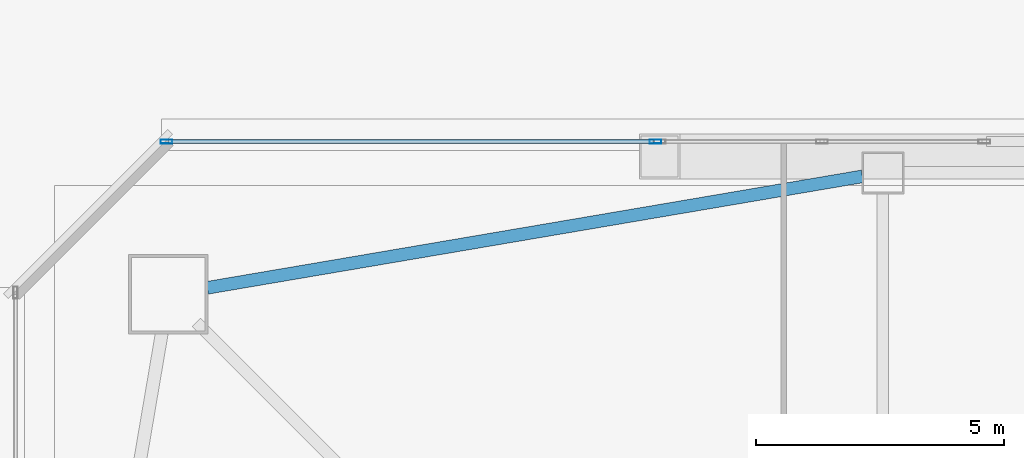
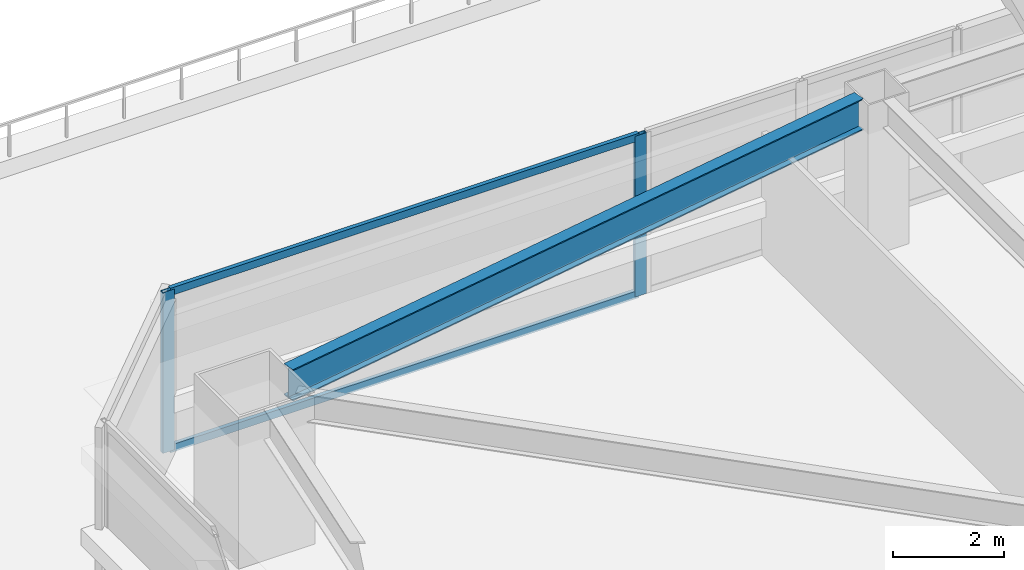
# One storey, part 16 of 83: 4 members, 1 beam, 1 element without a shape of its own.
"""IFC4 building model written with IfcOpenShell, lengths in metres."""

from ifc_helpers import new_model, si_unit, direction, frame, origin, origin_2d, place, context, subcontext, project, spatial, hollow_rectangle, i_section, extrude, material, material_profile, profile_set, type_object, element, aggregate, save


model = new_model("IFC4")

# Units and contexts
model_context = context("Model", 3, precision=1e-05, world=origin(), true_north=direction((0.0, 1.0)))
body_context = subcontext(model_context, "Body", "Model", "MODEL_VIEW")
ifc_project = project(units=[si_unit("LENGTHUNIT", "METRE"), si_unit("AREAUNIT", "SQUARE_METRE"), si_unit("VOLUMEUNIT", "CUBIC_METRE"), si_unit("PLANEANGLEUNIT", "RADIAN"), si_unit("MASSUNIT", "GRAM", prefix="KILO")], contexts=[model_context])

# Site, building, storey
site_placement = place(None, origin())
site = spatial("IfcSite", under=ifc_project, at=site_placement, CompositionType="ELEMENT")
building_placement = place(site_placement, origin())
building = spatial("IfcBuilding", under=site, at=building_placement, Name="Tashvorn Skyway Center", CompositionType="ELEMENT")
storey_placement = place(building_placement, frame((0.0, 0.0, 24.60009765625)))
storey = spatial("IfcBuildingStorey", under=building, at=storey_placement, Name="L05", CompositionType="ELEMENT", Elevation=24.60009765625)

# Beam
ifc_material_1 = material(Name="Steel ASTM A992 Grade 50", Category="steel")
ifc_material_profile_1 = material_profile(ifc_material_1, i_section(OverallWidth=0.256103515625, OverallDepth=0.693115234375, WebThickness=0.014404296875, FlangeThickness=0.023681640625, at=origin_2d()), Name="W27X114")
ifc_profile_set_1 = profile_set([ifc_material_profile_1], Name="Steel ASTM A992 Grade 50")
beam_type = type_object("IfcBeamType", Name="BM-SPANDREL-W27X114", PredefinedType="SPANDREL", material=ifc_profile_set_1)
beam_placement = place(storey_placement, frame((36.18603515625, 54.179443359375, 3.00341796875), z_axis=(-0.985835025551, -0.16771792509, 0.0), x_axis=(0.16771792509, -0.985835025551, 0.0)))
element("IfcBeam", 1, at=beam_placement, inside=storey, type_object=beam_type, Name="Tower 1 L05 Spandrel Beam 09", PredefinedType="SPANDREL", context=body_context, shape_type="SweptSolid", body=[
    extrude(i_section(OverallWidth=0.256103515625, OverallDepth=0.693115234375, WebThickness=0.014404296875, FlangeThickness=0.023681640625, at=origin_2d()), origin(), (0.0, 0.0, 1.0), 13.39208984375),
])

# Curtain wall, members
ifc_material_2 = material(Name="Thermally broken bronze-anodized aluminium 6063-T6", Category="aluminium")
curtain_wall_type = type_object("IfcCurtainWallType", Name="CW-CW-Z1", PredefinedType="NOTDEFINED", material=ifc_material_2)
curtain_wall_placement = place(storey_placement, origin())
curtain_wall = element("IfcCurtainWall", 2, at=curtain_wall_placement, inside=storey, type_object=curtain_wall_type, Name="Tower 1 L05 North Unitised Curtain Wall Glazing Group 1", PredefinedType="NOTDEFINED")
ifc_material_profile_2 = material_profile(ifc_material_2, hollow_rectangle(XDim=0.0849609375, YDim=0.239990234375, WallThickness=0.0048828125, at=origin_2d()), Name="ALU-MULL-85x240")
ifc_profile_set_2 = profile_set([ifc_material_profile_2], Name="Thermally broken bronze-anodized aluminium 6063-T6")
member_type_1 = type_object("IfcMemberType", Name="CWM-CW-Z1", PredefinedType="MULLION", material=ifc_profile_set_2)
member_1_placement = place(storey_placement, frame((22.16259765625, 54.8798828125, 0.0), z_axis=(0.0, 0.0, 1.0), x_axis=(0.0, 1.0, 0.0)))
member_1 = element("IfcMember", 3, at=member_1_placement, type_object=member_type_1, Name="CW-Z1 mullion 1", PredefinedType="MULLION", context=body_context, shape_type="SweptSolid", body=[
    extrude(hollow_rectangle(XDim=0.0849609375, YDim=0.239990234375, WallThickness=0.0048828125, at=origin_2d()), origin(), (0.0, 0.0, 1.0), 3.5498046875),
])
member_2_placement = place(storey_placement, frame((32.017578125, 54.8798828125, 0.0), z_axis=(0.0, 0.0, 1.0), x_axis=(0.0, 1.0, 0.0)))
member_2 = element("IfcMember", 4, at=member_2_placement, type_object=member_type_1, Name="CW-Z1 mullion 2", PredefinedType="MULLION", context=body_context, shape_type="SweptSolid", body=[
    extrude(hollow_rectangle(XDim=0.0849609375, YDim=0.239990234375, WallThickness=0.0048828125, at=origin_2d()), origin(), (0.0, 0.0, 1.0), 3.5498046875),
])
ifc_material_profile_3 = material_profile(ifc_material_2, hollow_rectangle(XDim=0.0849609375, YDim=0.1650390625, WallThickness=0.0048828125, at=origin_2d()), Name="ALU-TRAN-85x165")
ifc_profile_set_3 = profile_set([ifc_material_profile_3], Name="Thermally broken bronze-anodized aluminium 6063-T6")
member_type_2 = type_object("IfcMemberType", Name="CWT-CW-Z1", PredefinedType="USERDEFINED", material=ifc_profile_set_3)
member_3_placement = place(storey_placement, frame((22.205078125, 54.8798828125, 0.04248046875), z_axis=(1.0, 0.0, 0.0), x_axis=(0.0, 1.0, 0.0)))
member_3 = element("IfcMember", 5, at=member_3_placement, type_object=member_type_2, Name="CW-Z1 transom 1.1", ObjectType="TRANSOM", PredefinedType="USERDEFINED", context=body_context, shape_type="SweptSolid", body=[
    extrude(hollow_rectangle(XDim=0.0849609375, YDim=0.1650390625, WallThickness=0.0048828125, at=origin_2d()), origin(), (0.0, 0.0, 1.0), 9.77001953125),
])
member_4_placement = place(storey_placement, frame((22.205078125, 54.8798828125, 3.50732421875), z_axis=(1.0, 0.0, 0.0), x_axis=(0.0, 1.0, 0.0)))
member_4 = element("IfcMember", 6, at=member_4_placement, type_object=member_type_2, Name="CW-Z1 transom 1.2", ObjectType="TRANSOM", PredefinedType="USERDEFINED", context=body_context, shape_type="SweptSolid", body=[
    extrude(hollow_rectangle(XDim=0.0849609375, YDim=0.1650390625, WallThickness=0.0048828125, at=origin_2d()), origin(), (0.0, 0.0, 1.0), 9.77001953125),
])
aggregate(curtain_wall, [member_1, member_2, member_3, member_4])

save(model, "model.ifc")
